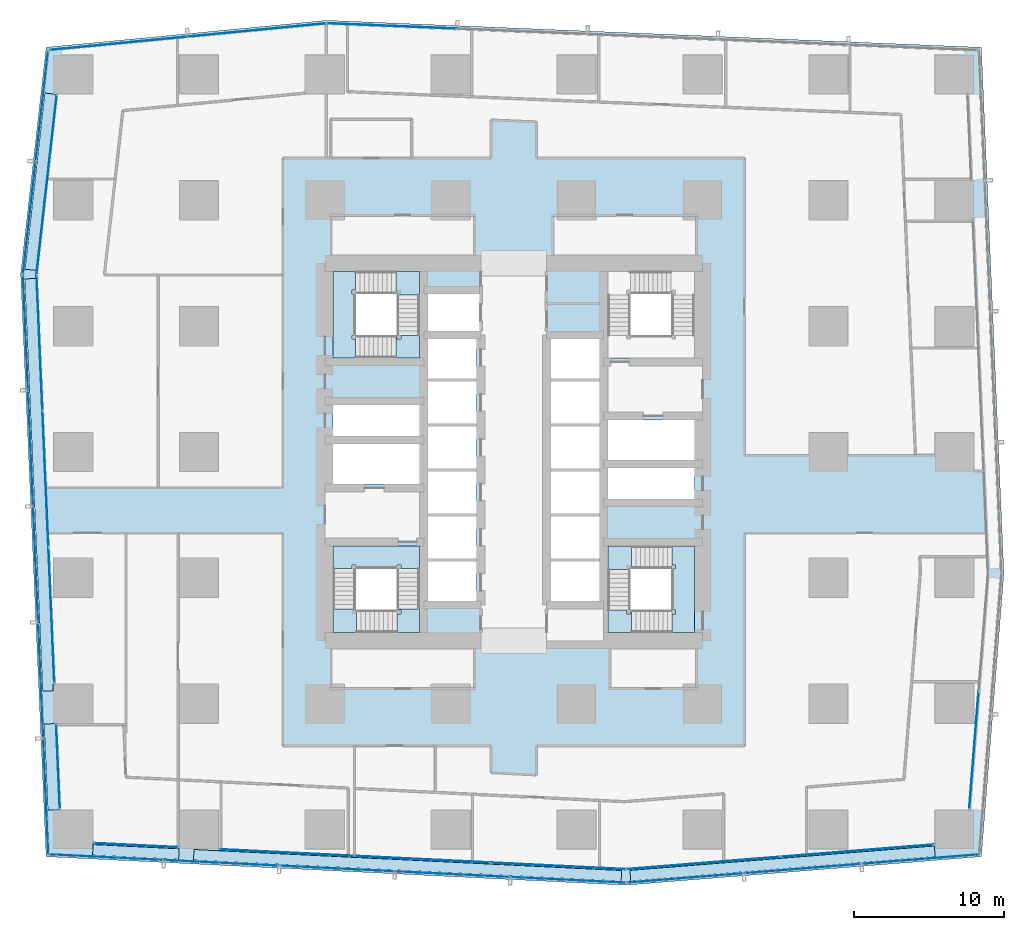
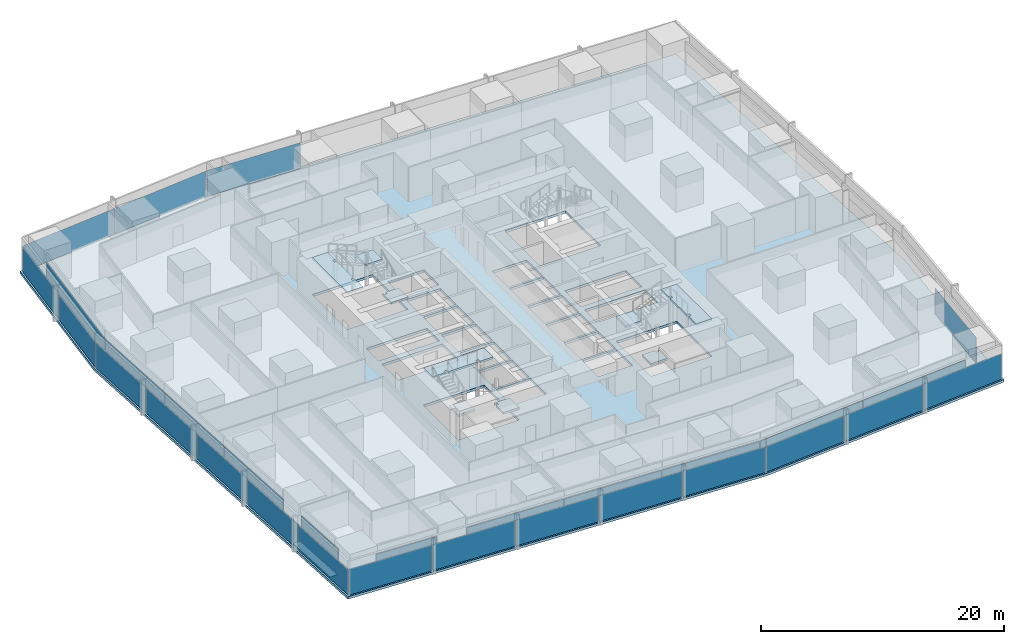
# One storey, part 30 of 46: 36 plates, 10 slabs, 16 elements without a shape of their own.
"""IFC4 building model written with IfcOpenShell, lengths in metres."""

from ifc_helpers import new_model, si_unit, direction, frame, origin, origin_2d, place, context, subcontext, project, spatial, polyline, rectangle, outline, extrude, material, layer, layer_set, type_object, element, aggregate, save


model = new_model("IFC4")

# Units and contexts
model_context = context("Model", 3, precision=1e-05, world=origin(), true_north=direction((0.0, 1.0)))
body_context = subcontext(model_context, "Body", "Model", "MODEL_VIEW")
ifc_project = project(units=[si_unit("LENGTHUNIT", "METRE"), si_unit("AREAUNIT", "SQUARE_METRE"), si_unit("VOLUMEUNIT", "CUBIC_METRE"), si_unit("PLANEANGLEUNIT", "RADIAN"), si_unit("MASSUNIT", "GRAM", prefix="KILO")], contexts=[model_context])

# Site, building, storey
site_placement = place(None, origin())
site = spatial("IfcSite", under=ifc_project, at=site_placement, CompositionType="ELEMENT")
building_placement = place(site_placement, origin())
building = spatial("IfcBuilding", under=site, at=building_placement, Name="Rekha Terrace Tower", CompositionType="ELEMENT")
storey_placement = place(building_placement, frame((0.0, 0.0, 29.14990234375)))
storey = spatial("IfcBuildingStorey", under=building, at=storey_placement, Name="L06", CompositionType="ELEMENT", Elevation=29.14990234375)

# Curtain wall, plate
ifc_material_1 = material(Name="Aluminium framing", Category="aluminium")
curtain_wall_type_1 = type_object("IfcCurtainWallType", Name="CW1 double skin inner glazing", PredefinedType="USERDEFINED", material=ifc_material_1)
curtain_wall_1_placement = place(storey_placement, origin())
curtain_wall_1 = element("IfcCurtainWall", 1, at=curtain_wall_1_placement, inside=storey, type_object=curtain_wall_type_1, Name="CW1 double skin inner glazing", ObjectType="DOUBLE SKIN INNER GLAZING", PredefinedType="USERDEFINED")
ifc_material_2 = material(Name="Double-glazed low-e unit 32", Category="glass")
ifc_layer_1 = layer(ifc_material_2, 0.031982421875)
ifc_layer_set_1 = layer_set([ifc_layer_1], Name="Double-glazed low-e unit 32")
plate_type_1 = type_object("IfcPlateType", Name="CW1 jumbo vision panel, double-glazed low-e unit 32", PredefinedType="CURTAIN_PANEL", material=ifc_layer_set_1)
plate_1_placement = place(storey_placement, frame((12.60009765625, 7.36669921875, 0.0), z_axis=(0.0, 0.0, 1.0), x_axis=(0.998796239976, -0.049051717711, 0.0)))
plate_1 = element("IfcPlate", 2, at=plate_1_placement, type_object=plate_type_1, Name="CW1 panel 1.1", PredefinedType="CURTAIN_PANEL", context=body_context, shape_type="SweptSolid", body=[
    extrude(rectangle(XDim=5.627685546875, YDim=0.031982421875, at=origin_2d()), origin(), (0.0, 0.0, 1.0), 2.60009765625),
])
aggregate(curtain_wall_1, [plate_1])

# Curtain wall, plates
curtain_wall_2_placement = place(storey_placement, origin())
curtain_wall_2 = element("IfcCurtainWall", 3, at=curtain_wall_2_placement, inside=storey, type_object=curtain_wall_type_1, Name="CW1 double skin inner glazing", ObjectType="DOUBLE SKIN INNER GLAZING", PredefinedType="USERDEFINED")
plate_2_placement = place(storey_placement, frame((22.661376953125, 6.87255859375, 0.0), z_axis=(0.0, 0.0, 1.0), x_axis=(0.998796239974, -0.049051717746, 0.0)))
plate_2 = element("IfcPlate", 4, at=plate_2_placement, type_object=plate_type_1, Name="CW1 panel 1.1", PredefinedType="CURTAIN_PANEL", context=body_context, shape_type="SweptSolid", body=[
    extrude(rectangle(XDim=8.964111328125, YDim=0.031982421875, at=origin_2d()), origin(), (0.0, 0.0, 1.0), 2.60009765625),
])
plate_3_placement = place(storey_placement, frame((31.69580078125, 6.4287109375, 0.0), z_axis=(0.0, 0.0, 1.0), x_axis=(0.998796239974, -0.049051717746, 0.0)))
plate_3 = element("IfcPlate", 5, at=plate_3_placement, type_object=plate_type_1, Name="CW1 panel 2.1", PredefinedType="CURTAIN_PANEL", context=body_context, shape_type="SweptSolid", body=[
    extrude(rectangle(XDim=8.99658203125, YDim=0.031982421875, at=origin_2d()), origin(), (0.0, 0.0, 1.0), 2.60009765625),
])
plate_4_placement = place(storey_placement, frame((40.762451171875, 5.983642578125, 0.0), z_axis=(0.0, 0.0, 1.0), x_axis=(0.998796239974, -0.049051717746, 0.0)))
plate_4 = element("IfcPlate", 6, at=plate_4_placement, type_object=plate_type_1, Name="CW1 panel 3.1", PredefinedType="CURTAIN_PANEL", context=body_context, shape_type="SweptSolid", body=[
    extrude(rectangle(XDim=9.029052734375, YDim=0.031982421875, at=origin_2d()), origin(), (0.0, 0.0, 1.0), 2.60009765625),
])
aggregate(curtain_wall_2, [plate_2, plate_3, plate_4])

curtain_wall_3_placement = place(storey_placement, origin())
curtain_wall_3 = element("IfcCurtainWall", 7, at=curtain_wall_3_placement, inside=storey, type_object=curtain_wall_type_1, Name="CW1 double skin inner glazing", ObjectType="DOUBLE SKIN INNER GLAZING", PredefinedType="USERDEFINED")
plate_5_placement = place(storey_placement, frame((50.43798828125, 6.176025390625, 0.0), z_axis=(0.0, 0.0, 1.0), x_axis=(0.996805111821, 0.079872204468, 0.0)))
plate_5 = element("IfcPlate", 8, at=plate_5_placement, type_object=plate_type_1, Name="CW1 panel 1.1", PredefinedType="CURTAIN_PANEL", context=body_context, shape_type="SweptSolid", body=[
    extrude(rectangle(XDim=10.23583984375, YDim=0.031982421875, at=origin_2d()), origin(), (0.0, 0.0, 1.0), 2.60009765625),
])
plate_6_placement = place(storey_placement, frame((60.7060546875, 6.998779296875, 0.0), z_axis=(0.0, 0.0, 1.0), x_axis=(0.996805111821, 0.079872204468, 0.0)))
plate_6 = element("IfcPlate", 9, at=plate_6_placement, type_object=plate_type_1, Name="CW1 panel 2.1", PredefinedType="CURTAIN_PANEL", context=body_context, shape_type="SweptSolid", body=[
    extrude(rectangle(XDim=10.23583984375, YDim=0.031982421875, at=origin_2d()), origin(), (0.0, 0.0, 1.0), 2.60009765625),
])
aggregate(curtain_wall_3, [plate_5, plate_6])

# Curtain wall, plate
curtain_wall_4_placement = place(storey_placement, origin())
curtain_wall_4 = element("IfcCurtainWall", 10, at=curtain_wall_4_placement, inside=storey, type_object=curtain_wall_type_1, Name="CW1 double skin inner glazing", ObjectType="DOUBLE SKIN INNER GLAZING", PredefinedType="USERDEFINED")
plate_7_placement = place(storey_placement, frame((68.49951171875, 13.691650390625, 0.0), z_axis=(0.0, 0.0, 1.0), x_axis=(0.079116300982, 0.996865392578, 0.0)))
plate_7 = element("IfcPlate", 11, at=plate_7_placement, type_object=plate_type_1, Name="CW1 panel 1.1", PredefinedType="CURTAIN_PANEL", context=body_context, shape_type="SweptSolid", body=[
    extrude(rectangle(XDim=7.8232421875, YDim=0.031982421875, at=origin_2d()), origin(), (0.0, 0.0, 1.0), 2.60009765625),
])
aggregate(curtain_wall_4, [plate_7])

curtain_wall_5_placement = place(storey_placement, origin())
curtain_wall_5 = element("IfcCurtainWall", 12, at=curtain_wall_5_placement, inside=storey, type_object=curtain_wall_type_1, Name="CW1 double skin inner glazing", ObjectType="DOUBLE SKIN INNER GLAZING", PredefinedType="USERDEFINED")
plate_8_placement = place(storey_placement, frame((6.635009765625, 51.42431640625, 0.0), z_axis=(0.0, 0.0, 1.0), x_axis=(-0.111729870782, -0.99373861552, 0.0)))
plate_8 = element("IfcPlate", 13, at=plate_8_placement, type_object=plate_type_1, Name="CW1 panel 1.1", PredefinedType="CURTAIN_PANEL", context=body_context, shape_type="SweptSolid", body=[
    extrude(rectangle(XDim=12.03662109375, YDim=0.031982421875, at=origin_2d()), origin(), (0.0, 0.0, 1.0), 2.60009765625),
])
aggregate(curtain_wall_5, [plate_8])

# Curtain wall, plates
curtain_wall_6_placement = place(storey_placement, origin())
curtain_wall_6 = element("IfcCurtainWall", 14, at=curtain_wall_6_placement, inside=storey, type_object=curtain_wall_type_1, Name="CW1 double skin inner glazing", ObjectType="DOUBLE SKIN INNER GLAZING", PredefinedType="USERDEFINED")
plate_9_placement = place(storey_placement, frame((6.162353515625, 40.8740234375, 0.0), z_axis=(0.0, 0.0, 1.0), x_axis=(0.043682543337, -0.999045462133, 0.0)))
plate_9 = element("IfcPlate", 15, at=plate_9_placement, type_object=plate_type_1, Name="CW1 panel 1.1", PredefinedType="CURTAIN_PANEL", context=body_context, shape_type="SweptSolid", body=[
    extrude(rectangle(XDim=9.018310546875, YDim=0.031982421875, at=origin_2d()), origin(), (0.0, 0.0, 1.0), 2.60009765625),
])
plate_10_placement = place(storey_placement, frame((6.559814453125, 31.783203125, 0.0), z_axis=(0.0, 0.0, 1.0), x_axis=(0.043682543337, -0.999045462133, 0.0)))
plate_10 = element("IfcPlate", 16, at=plate_10_placement, type_object=plate_type_1, Name="CW1 panel 2.1", PredefinedType="CURTAIN_PANEL", context=body_context, shape_type="SweptSolid", body=[
    extrude(rectangle(XDim=9.05078125, YDim=0.031982421875, at=origin_2d()), origin(), (0.0, 0.0, 1.0), 2.60009765625),
])
plate_11_placement = place(storey_placement, frame((6.957275390625, 22.6923828125, 0.0), z_axis=(0.0, 0.0, 1.0), x_axis=(0.043682543337, -0.999045462133, 0.0)))
plate_11 = element("IfcPlate", 17, at=plate_11_placement, type_object=plate_type_1, Name="CW1 panel 3.1", PredefinedType="CURTAIN_PANEL", context=body_context, shape_type="SweptSolid", body=[
    extrude(rectangle(XDim=9.018310546875, YDim=0.031982421875, at=origin_2d()), origin(), (0.0, 0.0, 1.0), 2.60009765625),
])
aggregate(curtain_wall_6, [plate_9, plate_10, plate_11])

# Curtain wall, plate
curtain_wall_7_placement = place(storey_placement, origin())
curtain_wall_7 = element("IfcCurtainWall", 18, at=curtain_wall_7_placement, inside=storey, type_object=curtain_wall_type_1, Name="CW1 double skin inner glazing", ObjectType="DOUBLE SKIN INNER GLAZING", PredefinedType="USERDEFINED")
plate_12_placement = place(storey_placement, frame((7.398681640625, 12.60009765625, 0.0), z_axis=(0.0, 0.0, 1.0), x_axis=(0.043682543424, -0.999045462129, 0.0)))
plate_12 = element("IfcPlate", 19, at=plate_12_placement, type_object=plate_type_1, Name="CW1 panel 1.1", PredefinedType="CURTAIN_PANEL", context=body_context, shape_type="SweptSolid", body=[
    extrude(rectangle(XDim=5.627197265625, YDim=0.031982421875, at=origin_2d()), origin(), (0.0, 0.0, 1.0), 2.60009765625),
])
aggregate(curtain_wall_7, [plate_12])

# Curtain wall, plates
curtain_wall_type_2 = type_object("IfcCurtainWallType", Name="CW2 double skin outer glazing", PredefinedType="USERDEFINED", material=ifc_material_1)
curtain_wall_8_placement = place(storey_placement, origin())
curtain_wall_8 = element("IfcCurtainWall", 20, at=curtain_wall_8_placement, inside=storey, type_object=curtain_wall_type_2, Name="CW2 double skin outer glazing", ObjectType="DOUBLE SKIN OUTER GLAZING", PredefinedType="USERDEFINED")
ifc_material_3 = material(Name="Toughened single glazing 12", Category="glass")
ifc_layer_2 = layer(ifc_material_3, 0.011962890625)
ifc_layer_set_2 = layer_set([ifc_layer_2], Name="Toughened single glazing 12")
plate_type_2 = type_object("IfcPlateType", Name="CW2 jumbo vision panel, toughened single glazing 12", PredefinedType="CURTAIN_PANEL", material=ifc_layer_set_2)
plate_13_placement = place(storey_placement, frame((10.626708984375, 6.5625, 0.0), z_axis=(0.0, 0.0, 1.0), x_axis=(0.998796239974, -0.049051717746, 0.0)))
plate_13 = element("IfcPlate", 21, at=plate_13_placement, type_object=plate_type_2, Name="CW2 panel 1.1", PredefinedType="CURTAIN_PANEL", context=body_context, shape_type="SweptSolid", body=[
    extrude(rectangle(XDim=7.595703125, YDim=0.011962890625, at=origin_2d()), origin(), (0.0, 0.0, 1.0), 2.60009765625),
])
plate_14_placement = place(storey_placement, frame((18.31298828125, 6.18505859375, 0.0), z_axis=(0.0, 0.0, 1.0), x_axis=(0.998796239974, -0.049051717746, 0.0)))
plate_14 = element("IfcPlate", 22, at=plate_14_placement, type_object=plate_type_2, Name="CW2 panel 2.1", PredefinedType="CURTAIN_PANEL", context=body_context, shape_type="SweptSolid", body=[
    extrude(rectangle(XDim=7.6357421875, YDim=0.011962890625, at=origin_2d()), origin(), (0.0, 0.0, 1.0), 2.60009765625),
])
plate_15_placement = place(storey_placement, frame((26.01953125, 5.806396484375, 0.0), z_axis=(0.0, 0.0, 1.0), x_axis=(0.998796239974, -0.049051717746, 0.0)))
plate_15 = element("IfcPlate", 23, at=plate_15_placement, type_object=plate_type_2, Name="CW2 panel 3.1", PredefinedType="CURTAIN_PANEL", context=body_context, shape_type="SweptSolid", body=[
    extrude(rectangle(XDim=7.6357421875, YDim=0.011962890625, at=origin_2d()), origin(), (0.0, 0.0, 1.0), 2.60009765625),
])
plate_16_placement = place(storey_placement, frame((33.725830078125, 5.427978515625, 0.0), z_axis=(0.0, 0.0, 1.0), x_axis=(0.998796239974, -0.049051717746, 0.0)))
plate_16 = element("IfcPlate", 24, at=plate_16_placement, type_object=plate_type_2, Name="CW2 panel 4.1", PredefinedType="CURTAIN_PANEL", context=body_context, shape_type="SweptSolid", body=[
    extrude(rectangle(XDim=7.6357421875, YDim=0.011962890625, at=origin_2d()), origin(), (0.0, 0.0, 1.0), 2.60009765625),
])
plate_17_placement = place(storey_placement, frame((41.452392578125, 5.048583984375, 0.0), z_axis=(0.0, 0.0, 1.0), x_axis=(0.998796239974, -0.049051717746, 0.0)))
plate_17 = element("IfcPlate", 25, at=plate_17_placement, type_object=plate_type_2, Name="CW2 panel 5.1", PredefinedType="CURTAIN_PANEL", context=body_context, shape_type="SweptSolid", body=[
    extrude(rectangle(XDim=7.67578125, YDim=0.011962890625, at=origin_2d()), origin(), (0.0, 0.0, 1.0), 2.60009765625),
])
aggregate(curtain_wall_8, [plate_13, plate_14, plate_15, plate_16, plate_17])

curtain_wall_9_placement = place(storey_placement, origin())
curtain_wall_9 = element("IfcCurtainWall", 26, at=curtain_wall_9_placement, inside=storey, type_object=curtain_wall_type_2, Name="CW2 double skin outer glazing", ObjectType="DOUBLE SKIN OUTER GLAZING", PredefinedType="USERDEFINED")
plate_18_placement = place(storey_placement, frame((49.233154296875, 5.176513671875, 0.0), z_axis=(0.0, 0.0, 1.0), x_axis=(0.996805111821, 0.079872204468, 0.0)))
plate_18 = element("IfcPlate", 27, at=plate_18_placement, type_object=plate_type_2, Name="CW2 panel 1.1", PredefinedType="CURTAIN_PANEL", context=body_context, shape_type="SweptSolid", body=[
    extrude(rectangle(XDim=7.760498046875, YDim=0.011962890625, at=origin_2d()), origin(), (0.0, 0.0, 1.0), 2.60009765625),
])
plate_19_placement = place(storey_placement, frame((57.068359375, 5.804443359375, 0.0), z_axis=(0.0, 0.0, 1.0), x_axis=(0.996805111821, 0.079872204468, 0.0)))
plate_19 = element("IfcPlate", 28, at=plate_19_placement, type_object=plate_type_2, Name="CW2 panel 2.1", PredefinedType="CURTAIN_PANEL", context=body_context, shape_type="SweptSolid", body=[
    extrude(rectangle(XDim=7.800537109375, YDim=0.011962890625, at=origin_2d()), origin(), (0.0, 0.0, 1.0), 2.60009765625),
])
plate_20_placement = place(storey_placement, frame((64.943603515625, 6.435546875, 0.0), z_axis=(0.0, 0.0, 1.0), x_axis=(0.996805111821, 0.079872204468, 0.0)))
plate_20 = element("IfcPlate", 29, at=plate_20_placement, type_object=plate_type_2, Name="CW2 panel 3.1", PredefinedType="CURTAIN_PANEL", context=body_context, shape_type="SweptSolid", body=[
    extrude(rectangle(XDim=7.84033203125, YDim=0.011962890625, at=origin_2d()), origin(), (0.0, 0.0, 1.0), 2.60009765625),
])
aggregate(curtain_wall_9, [plate_18, plate_19, plate_20])

curtain_wall_10_placement = place(storey_placement, origin())
curtain_wall_10 = element("IfcCurtainWall", 30, at=curtain_wall_10_placement, inside=storey, type_object=curtain_wall_type_2, Name="CW2 double skin outer glazing", ObjectType="DOUBLE SKIN OUTER GLAZING", PredefinedType="USERDEFINED")
plate_21_placement = place(storey_placement, frame((6.3212890625, 56.688720703125, 0.0), z_axis=(0.0, 0.0, 1.0), x_axis=(-0.111729870782, -0.99373861552, 0.0)))
plate_21 = element("IfcPlate", 31, at=plate_21_placement, type_object=plate_type_2, Name="CW2 panel 1.1", PredefinedType="CURTAIN_PANEL", context=body_context, shape_type="SweptSolid", body=[
    extrude(rectangle(XDim=7.41650390625, YDim=0.011962890625, at=origin_2d()), origin(), (0.0, 0.0, 1.0), 2.60009765625),
])
plate_22_placement = place(storey_placement, frame((5.479248046875, 49.19921875, 0.0), z_axis=(0.0, 0.0, 1.0), x_axis=(-0.111729870782, -0.99373861552, 0.0)))
plate_22 = element("IfcPlate", 32, at=plate_22_placement, type_object=plate_type_2, Name="CW2 panel 2.1", PredefinedType="CURTAIN_PANEL", context=body_context, shape_type="SweptSolid", body=[
    extrude(rectangle(XDim=7.49658203125, YDim=0.011962890625, at=origin_2d()), origin(), (0.0, 0.0, 1.0), 2.60009765625),
])
aggregate(curtain_wall_10, [plate_21, plate_22])

curtain_wall_11_placement = place(storey_placement, origin())
curtain_wall_11 = element("IfcCurtainWall", 33, at=curtain_wall_11_placement, inside=storey, type_object=curtain_wall_type_2, Name="CW2 double skin outer glazing", ObjectType="DOUBLE SKIN OUTER GLAZING", PredefinedType="USERDEFINED")
plate_23_placement = place(storey_placement, frame((5.23046875, 41.582275390625, 0.0), z_axis=(0.0, 0.0, 1.0), x_axis=(0.043682543372, -0.999045462131, 0.0)))
plate_23 = element("IfcPlate", 34, at=plate_23_placement, type_object=plate_type_2, Name="CW2 panel 1.1", PredefinedType="CURTAIN_PANEL", context=body_context, shape_type="SweptSolid", body=[
    extrude(rectangle(XDim=7.6318359375, YDim=0.011962890625, at=origin_2d()), origin(), (0.0, 0.0, 1.0), 2.60009765625),
])
plate_24_placement = place(storey_placement, frame((5.568359375, 33.85791015625, 0.0), z_axis=(0.0, 0.0, 1.0), x_axis=(0.043682543372, -0.999045462131, 0.0)))
plate_24 = element("IfcPlate", 35, at=plate_24_placement, type_object=plate_type_2, Name="CW2 panel 2.1", PredefinedType="CURTAIN_PANEL", context=body_context, shape_type="SweptSolid", body=[
    extrude(rectangle(XDim=7.671875, YDim=0.011962890625, at=origin_2d()), origin(), (0.0, 0.0, 1.0), 2.60009765625),
])
plate_25_placement = place(storey_placement, frame((5.906982421875, 26.113525390625, 0.0), z_axis=(0.0, 0.0, 1.0), x_axis=(0.043682543372, -0.999045462131, 0.0)))
plate_25 = element("IfcPlate", 36, at=plate_25_placement, type_object=plate_type_2, Name="CW2 panel 3.1", PredefinedType="CURTAIN_PANEL", context=body_context, shape_type="SweptSolid", body=[
    extrude(rectangle(XDim=7.671875, YDim=0.011962890625, at=origin_2d()), origin(), (0.0, 0.0, 1.0), 2.60009765625),
])
plate_26_placement = place(storey_placement, frame((6.24560546875, 18.369140625, 0.0), z_axis=(0.0, 0.0, 1.0), x_axis=(0.043682543372, -0.999045462131, 0.0)))
plate_26 = element("IfcPlate", 37, at=plate_26_placement, type_object=plate_type_2, Name="CW2 panel 4.1", PredefinedType="CURTAIN_PANEL", context=body_context, shape_type="SweptSolid", body=[
    extrude(rectangle(XDim=7.671875, YDim=0.011962890625, at=origin_2d()), origin(), (0.0, 0.0, 1.0), 2.60009765625),
])
plate_27_placement = place(storey_placement, frame((6.5849609375, 10.60498046875, 0.0), z_axis=(0.0, 0.0, 1.0), x_axis=(0.043682543372, -0.999045462131, 0.0)))
plate_27 = element("IfcPlate", 38, at=plate_27_placement, type_object=plate_type_2, Name="CW2 panel 5.1", PredefinedType="CURTAIN_PANEL", context=body_context, shape_type="SweptSolid", body=[
    extrude(rectangle(XDim=7.711669921875, YDim=0.011962890625, at=origin_2d()), origin(), (0.0, 0.0, 1.0), 2.60009765625),
])
aggregate(curtain_wall_11, [plate_23, plate_24, plate_25, plate_26, plate_27])

# Curtain wall, plate
curtain_wall_type_3 = type_object("IfcCurtainWallType", Name="CW3 north unitised glazing", PredefinedType="USERDEFINED", material=ifc_material_1)
curtain_wall_12_placement = place(storey_placement, origin())
curtain_wall_12 = element("IfcCurtainWall", 39, at=curtain_wall_12_placement, inside=storey, type_object=curtain_wall_type_3, Name="CW3 unitised curtain wall", ObjectType="UNITISED CURTAIN WALL", PredefinedType="USERDEFINED")
ifc_material_4 = material(Name="Double-glazed unit 28", Category="glass")
ifc_layer_3 = layer(ifc_material_4, 0.028076171875)
ifc_layer_set_3 = layer_set([ifc_layer_3], Name="Double-glazed unit 28")
plate_type_3 = type_object("IfcPlateType", Name="CW3 jumbo vision panel, double-glazed unit 28", PredefinedType="CURTAIN_PANEL", material=ifc_layer_set_3)
plate_28_placement = place(storey_placement, frame((29.65625, 62.021240234375, 0.0), z_axis=(0.0, 0.0, 1.0), x_axis=(-0.999151997647, 0.041173846041, 0.0)))
plate_28 = element("IfcPlate", 40, at=plate_28_placement, type_object=plate_type_3, Name="CW3 panel 5.1", PredefinedType="CURTAIN_PANEL", context=body_context, shape_type="SweptSolid", body=[
    extrude(rectangle(XDim=8.6689453125, YDim=0.028076171875, at=origin_2d()), origin(), (0.0, 0.0, 1.0), 2.60009765625),
])
aggregate(curtain_wall_12, [plate_28])

# Curtain wall, plates
curtain_wall_13_placement = place(storey_placement, origin())
curtain_wall_13 = element("IfcCurtainWall", 41, at=curtain_wall_13_placement, inside=storey, type_object=curtain_wall_type_3, Name="CW3 unitised curtain wall", ObjectType="UNITISED CURTAIN WALL", PredefinedType="USERDEFINED")
plate_29_placement = place(storey_placement, frame((20.671875, 61.752197265625, 0.0), z_axis=(0.0, 0.0, 1.0), x_axis=(-0.995409029102, -0.095712406625, 0.0)))
plate_29 = element("IfcPlate", 42, at=plate_29_placement, type_object=plate_type_3, Name="CW3 panel 1.1", PredefinedType="CURTAIN_PANEL", context=body_context, shape_type="SweptSolid", body=[
    extrude(rectangle(XDim=9.210205078125, YDim=0.028076171875, at=origin_2d()), origin(), (0.0, 0.0, 1.0), 2.60009765625),
])
plate_30_placement = place(storey_placement, frame((11.434326171875, 60.864013671875, 0.0), z_axis=(0.0, 0.0, 1.0), x_axis=(-0.995409029102, -0.095712406625, 0.0)))
plate_30 = element("IfcPlate", 43, at=plate_30_placement, type_object=plate_type_3, Name="CW3 panel 2.1", PredefinedType="CURTAIN_PANEL", context=body_context, shape_type="SweptSolid", body=[
    extrude(rectangle(XDim=9.210205078125, YDim=0.028076171875, at=origin_2d()), origin(), (0.0, 0.0, 1.0), 2.60009765625),
])
aggregate(curtain_wall_13, [plate_29, plate_30])

# Plates
ifc_material_5 = material(Name="Galvanised steel open grating", Category="steel")
ifc_layer_4 = layer(ifc_material_5, 0.050048828125)
ifc_layer_set_4 = layer_set([ifc_layer_4], Name="Galvanised steel open grating")
plate_type_4 = type_object("IfcPlateType", Name="GT1 cavity walkway grating 50", PredefinedType="USERDEFINED", material=ifc_layer_set_4)
plate_31_placement = place(storey_placement, frame((12.58984375, 6.91650390625, 0.0), z_axis=(0.0, 0.0, 1.0), x_axis=(0.998796239974, -0.049051717746, 0.0)))
element("IfcPlate", 44, at=plate_31_placement, inside=storey, type_object=plate_type_4, Name="Cavity walkway grating", ObjectType="CAVITY WALKWAY GRATING", PredefinedType="USERDEFINED", context=body_context, shape_type="SweptSolid", body=[
    extrude(rectangle(XDim=5.750732421875, YDim=0.705078125, at=origin_2d()), origin(), (0.0, 0.0, 1.0), 0.050048828125),
])
plate_32_placement = place(storey_placement, frame((30.71484375, 6.0263671875, 0.0), z_axis=(0.0, 0.0, 1.0), x_axis=(0.998796239974, -0.049051717746, 0.0)))
element("IfcPlate", 45, at=plate_32_placement, inside=storey, type_object=plate_type_4, Name="Cavity walkway grating", ObjectType="CAVITY WALKWAY GRATING", PredefinedType="USERDEFINED", context=body_context, shape_type="SweptSolid", body=[
    extrude(rectangle(XDim=28.562744140625, YDim=0.705078125, at=origin_2d()), origin(), (0.0, 0.0, 1.0), 0.050048828125),
])
plate_33_placement = place(storey_placement, frame((55.734375, 6.14892578125, 0.0), z_axis=(0.0, 0.0, 1.0), x_axis=(0.996805111821, 0.079872204468, 0.0)))
element("IfcPlate", 46, at=plate_33_placement, inside=storey, type_object=plate_type_4, Name="Cavity walkway grating", ObjectType="CAVITY WALKWAY GRATING", PredefinedType="USERDEFINED", context=body_context, shape_type="SweptSolid", body=[
    extrude(rectangle(XDim=20.37841796875, YDim=0.705078125, at=origin_2d()), origin(), (0.0, 0.0, 1.0), 0.050048828125),
])
plate_34_placement = place(storey_placement, frame((6.20556640625, 51.631591796875, 0.0), z_axis=(0.0, 0.0, 1.0), x_axis=(-0.1117298708, -0.993738615518, 0.0)))
element("IfcPlate", 47, at=plate_34_placement, inside=storey, type_object=plate_type_4, Name="Cavity walkway grating", ObjectType="CAVITY WALKWAY GRATING", PredefinedType="USERDEFINED", context=body_context, shape_type="SweptSolid", body=[
    extrude(rectangle(XDim=11.822998046875, YDim=0.705078125, at=origin_2d()), origin(), (0.0, 0.0, 1.0), 0.050048828125),
])
plate_35_placement = place(storey_placement, frame((6.125732421875, 31.409912109375, 0.0), z_axis=(0.0, 0.0, 1.0), x_axis=(0.043682543355, -0.999045462132, 0.0)))
element("IfcPlate", 48, at=plate_35_placement, inside=storey, type_object=plate_type_4, Name="Cavity walkway grating", ObjectType="CAVITY WALKWAY GRATING", PredefinedType="USERDEFINED", context=body_context, shape_type="SweptSolid", body=[
    extrude(rectangle(XDim=27.525390625, YDim=0.705078125, at=origin_2d()), origin(), (0.0, 0.0, 1.0), 0.050048828125),
])
plate_36_placement = place(storey_placement, frame((6.94873046875, 12.59130859375, 0.0), z_axis=(0.0, 0.0, 1.0), x_axis=(0.043682543355, -0.999045462132, 0.0)))
element("IfcPlate", 49, at=plate_36_placement, inside=storey, type_object=plate_type_4, Name="Cavity walkway grating", ObjectType="CAVITY WALKWAY GRATING", PredefinedType="USERDEFINED", context=body_context, shape_type="SweptSolid", body=[
    extrude(rectangle(XDim=5.750244140625, YDim=0.705078125, at=origin_2d()), origin(), (0.0, 0.0, 1.0), 0.050048828125),
])

# Stair, slabs
ifc_material_6 = material(Name="Concrete M40", Category="concrete")
stair_type = type_object("IfcStairType", Name="ST30 stair, 30 risers of 125, going 300, 1500 wide flights, 3 flights", PredefinedType="HALF_TURN_STAIR", material=ifc_material_6)
stair_1_placement = place(storey_placement, origin())
stair_1 = element("IfcStair", 50, at=stair_1_placement, inside=storey, type_object=stair_type, Name="Stair ST1 L06 to L07", PredefinedType="HALF_TURN_STAIR")
ifc_layer_5 = layer(ifc_material_6, 0.199951171875)
ifc_layer_set_5 = layer_set([ifc_layer_5], Name="Concrete M40")
slab_type_1 = type_object("IfcSlabType", Name="LD1 200 concrete stair landing", PredefinedType="LANDING", material=ifc_layer_set_5)
slab_1_placement = place(storey_placement, frame((0.0, 0.0, 1.050048828125)))
slab_1 = element("IfcSlab", 51, at=slab_1_placement, type_object=slab_type_1, Name="ST1 landing 1", PredefinedType="LANDING", context=body_context, shape_type="SweptSolid", body=[
    extrude(outline(polyline([(30.02490234375, 21.550048828125), (31.52490234375, 21.550048828125), (31.52490234375, 23.125), (30.02490234375, 23.125), (30.02490234375, 23.050048828125), (30.27490234375, 23.050048828125), (30.27490234375, 22.800048828125), (30.02490234375, 22.800048828125), (30.02490234375, 21.550048828125)])), origin(), (0.0, 0.0, 1.0), 0.199951171875),
])
slab_2_placement = place(storey_placement, frame((0.0, 0.0, 2.300048828125)))
slab_2 = element("IfcSlab", 52, at=slab_2_placement, type_object=slab_type_1, Name="ST1 landing 2", PredefinedType="LANDING", context=body_context, shape_type="SweptSolid", body=[
    extrude(outline(polyline([(27.25, 23.125), (25.75, 23.125), (25.75, 21.550048828125), (27.324951171875, 21.550048828125), (27.324951171875, 23.050048828125), (27.25, 23.050048828125), (27.25, 23.125)])), origin(), (0.0, 0.0, 1.0), 0.199951171875),
])
slab_3_placement = place(storey_placement, frame((0.0, 0.0, 3.550048828125)))
slab_3 = element("IfcSlab", 53, at=slab_3_placement, type_object=slab_type_1, Name="ST1 landing 3", PredefinedType="LANDING", context=body_context, shape_type="SweptSolid", body=[
    extrude(outline(polyline([(31.52490234375, 25.824951171875), (31.52490234375, 27.324951171875), (25.75, 27.324951171875), (25.75, 25.824951171875), (27.0, 25.824951171875), (27.0, 26.074951171875), (27.25, 26.074951171875), (27.25, 25.824951171875), (30.02490234375, 25.824951171875), (30.02490234375, 26.074951171875), (30.27490234375, 26.074951171875), (30.27490234375, 25.824951171875), (31.52490234375, 25.824951171875)])), origin(), (0.0, 0.0, 1.0), 0.199951171875),
])
aggregate(stair_1, [slab_1, slab_2, slab_3])

stair_2_placement = place(storey_placement, origin())
stair_2 = element("IfcStair", 54, at=stair_2_placement, inside=storey, type_object=stair_type, Name="Stair ST3 L06 to L07", PredefinedType="HALF_TURN_STAIR")
slab_4_placement = place(storey_placement, frame((0.0, 0.0, 1.050048828125)))
slab_4 = element("IfcSlab", 55, at=slab_4_placement, type_object=slab_type_1, Name="ST3 landing 1", PredefinedType="LANDING", context=body_context, shape_type="SweptSolid", body=[
    extrude(outline(polyline([(44.074951171875, 23.050048828125), (44.074951171875, 21.550048828125), (45.64990234375, 21.550048828125), (45.64990234375, 23.050048828125), (45.574951171875, 23.050048828125), (45.574951171875, 22.800048828125), (45.324951171875, 22.800048828125), (45.324951171875, 23.050048828125), (44.074951171875, 23.050048828125)])), origin(), (0.0, 0.0, 1.0), 0.199951171875),
])
slab_5_placement = place(storey_placement, frame((0.0, 0.0, 2.300048828125)))
slab_5 = element("IfcSlab", 56, at=slab_5_placement, type_object=slab_type_1, Name="ST3 landing 2", PredefinedType="LANDING", context=body_context, shape_type="SweptSolid", body=[
    extrude(outline(polyline([(45.64990234375, 25.824951171875), (45.64990234375, 27.324951171875), (44.074951171875, 27.324951171875), (44.074951171875, 25.75), (45.574951171875, 25.75), (45.574951171875, 25.824951171875), (45.64990234375, 25.824951171875)])), origin(), (0.0, 0.0, 1.0), 0.199951171875),
])
slab_6_placement = place(storey_placement, frame((0.0, 0.0, 3.550048828125)))
slab_6 = element("IfcSlab", 57, at=slab_6_placement, type_object=slab_type_1, Name="ST3 landing 3", PredefinedType="LANDING", context=body_context, shape_type="SweptSolid", body=[
    extrude(outline(polyline([(48.35009765625, 21.550048828125), (49.85009765625, 21.550048828125), (49.85009765625, 27.324951171875), (48.35009765625, 27.324951171875), (48.35009765625, 26.074951171875), (48.60009765625, 26.074951171875), (48.60009765625, 25.824951171875), (48.35009765625, 25.824951171875), (48.35009765625, 23.050048828125), (48.60009765625, 23.050048828125), (48.60009765625, 22.800048828125), (48.35009765625, 22.800048828125), (48.35009765625, 21.550048828125)])), origin(), (0.0, 0.0, 1.0), 0.199951171875),
])
aggregate(stair_2, [slab_4, slab_5, slab_6])

stair_3_placement = place(storey_placement, origin())
stair_3 = element("IfcStair", 58, at=stair_3_placement, inside=storey, type_object=stair_type, Name="Stair ST4 L06 to L07", PredefinedType="HALF_TURN_STAIR")
slab_7_placement = place(storey_placement, frame((0.0, 0.0, 1.050048828125)))
slab_7 = element("IfcSlab", 59, at=slab_7_placement, type_object=slab_type_1, Name="ST4 landing 1", PredefinedType="LANDING", context=body_context, shape_type="SweptSolid", body=[
    extrude(outline(polyline([(31.52490234375, 41.375), (31.52490234375, 39.875), (29.949951171875, 39.875), (29.949951171875, 41.375), (30.02490234375, 41.375), (30.02490234375, 41.125), (30.27490234375, 41.125), (30.27490234375, 41.375), (31.52490234375, 41.375)])), origin(), (0.0, 0.0, 1.0), 0.199951171875),
])
slab_8_placement = place(storey_placement, frame((0.0, 0.0, 2.300048828125)))
slab_8 = element("IfcSlab", 60, at=slab_8_placement, type_object=slab_type_1, Name="ST4 landing 2", PredefinedType="LANDING", context=body_context, shape_type="SweptSolid", body=[
    extrude(outline(polyline([(29.949951171875, 44.14990234375), (29.949951171875, 45.64990234375), (31.52490234375, 45.64990234375), (31.52490234375, 44.074951171875), (30.02490234375, 44.074951171875), (30.02490234375, 44.14990234375), (29.949951171875, 44.14990234375)])), origin(), (0.0, 0.0, 1.0), 0.199951171875),
])
slab_9_placement = place(storey_placement, frame((0.0, 0.0, 3.550048828125)))
slab_9 = element("IfcSlab", 61, at=slab_9_placement, type_object=slab_type_1, Name="ST4 landing 3", PredefinedType="LANDING", context=body_context, shape_type="SweptSolid", body=[
    extrude(outline(polyline([(27.25, 39.875), (25.75, 39.875), (25.75, 45.64990234375), (27.25, 45.64990234375), (27.25, 44.39990234375), (27.0, 44.39990234375), (27.0, 44.14990234375), (27.25, 44.14990234375), (27.25, 41.375), (27.0, 41.375), (27.0, 41.125), (27.25, 41.125), (27.25, 39.875)])), origin(), (0.0, 0.0, 1.0), 0.199951171875),
])
aggregate(stair_3, [slab_7, slab_8, slab_9])

# Slab
ifc_material_7 = material(Name="Concrete M50", Category="concrete")
ifc_layer_6 = layer(ifc_material_7, 0.25)
ifc_layer_set_6 = layer_set([ifc_layer_6], Name="Concrete M50")
slab_type_2 = type_object("IfcSlabType", Name="SL4 250 post-tensioned flat plate", PredefinedType="FLOOR", material=ifc_layer_set_6)
slab_10_placement = place(storey_placement, frame((0.0, 0.0, -0.25)))
element("IfcSlab", 62, at=slab_10_placement, inside=storey, type_object=slab_type_2, Name="Post-tensioned flat plate L06", PredefinedType="FLOOR", context=body_context, shape_type="SweptSolid", body=[
    extrude(outline(polyline([(4.89990234375, 45.47998046875), (6.60009765625, 6.60009765625), (45.2880859375, 4.699951171875), (69.0, 6.60009765625), (70.5, 25.5), (69.0, 60.60009765625), (25.320068359375, 62.39990234375), (6.60009765625, 60.60009765625), (4.89990234375, 45.47998046875)]), holes=[polyline([(31.52490234375, 27.324951171875), (31.52490234375, 21.550048828125), (25.75, 21.550048828125), (25.75, 27.324951171875), (31.52490234375, 27.324951171875)]), polyline([(35.324951171875, 26.300048828125), (35.324951171875, 23.675048828125), (32.074951171875, 23.675048828125), (32.074951171875, 26.300048828125), (35.324951171875, 26.300048828125)]), polyline([(35.324951171875, 29.300048828125), (35.324951171875, 26.5), (32.074951171875, 26.5), (32.074951171875, 29.300048828125), (35.324951171875, 29.300048828125)]), polyline([(35.324951171875, 29.5), (32.074951171875, 29.5), (32.074951171875, 32.300048828125), (35.324951171875, 32.300048828125), (35.324951171875, 29.5)]), polyline([(31.52490234375, 31.47509765625), (25.75, 31.47509765625), (25.75, 34.125), (31.52490234375, 34.125), (31.52490234375, 31.47509765625)]), polyline([(35.324951171875, 35.300048828125), (35.324951171875, 32.5), (32.074951171875, 32.5), (32.074951171875, 35.300048828125), (35.324951171875, 35.300048828125)]), polyline([(31.52490234375, 36.72509765625), (31.52490234375, 34.675048828125), (25.75, 34.675048828125), (25.75, 36.72509765625), (31.52490234375, 36.72509765625)]), polyline([(35.324951171875, 38.300048828125), (35.324951171875, 35.5), (32.074951171875, 35.5), (32.074951171875, 38.300048828125), (35.324951171875, 38.300048828125)]), polyline([(35.324951171875, 38.5), (32.074951171875, 38.5), (32.074951171875, 41.125), (35.324951171875, 41.125), (35.324951171875, 38.5)]), polyline([(31.52490234375, 39.875), (25.75, 39.875), (25.75, 45.64990234375), (31.52490234375, 45.64990234375), (31.52490234375, 39.875)]), polyline([(35.5, 44.125), (35.5, 41.675048828125), (32.074951171875, 41.675048828125), (32.074951171875, 44.125), (35.5, 44.125)]), polyline([(49.85009765625, 27.324951171875), (49.85009765625, 21.550048828125), (44.074951171875, 21.550048828125), (44.074951171875, 27.324951171875), (49.85009765625, 27.324951171875)]), polyline([(43.52490234375, 26.300048828125), (43.52490234375, 23.675048828125), (40.27490234375, 23.675048828125), (40.27490234375, 26.300048828125), (43.52490234375, 26.300048828125)]), polyline([(43.52490234375, 26.5), (40.27490234375, 26.5), (40.27490234375, 29.300048828125), (43.52490234375, 29.300048828125), (43.52490234375, 26.5)]), polyline([(43.52490234375, 29.5), (40.27490234375, 29.5), (40.27490234375, 32.300048828125), (43.52490234375, 32.300048828125), (43.52490234375, 29.5)]), polyline([(49.85009765625, 32.52490234375), (49.85009765625, 30.47509765625), (44.074951171875, 30.47509765625), (44.074951171875, 32.52490234375), (49.85009765625, 32.52490234375)]), polyline([(43.52490234375, 32.5), (40.27490234375, 32.5), (40.27490234375, 35.300048828125), (43.52490234375, 35.300048828125), (43.52490234375, 32.5)]), polyline([(49.85009765625, 33.074951171875), (44.074951171875, 33.074951171875), (44.074951171875, 35.72509765625), (49.85009765625, 35.72509765625), (49.85009765625, 33.074951171875)]), polyline([(43.52490234375, 38.300048828125), (43.52490234375, 35.5), (40.27490234375, 35.5), (40.27490234375, 38.300048828125), (43.52490234375, 38.300048828125)]), polyline([(43.52490234375, 38.5), (40.27490234375, 38.5), (40.27490234375, 41.125), (43.52490234375, 41.125), (43.52490234375, 38.5)]), polyline([(49.85009765625, 39.875), (44.074951171875, 39.875), (44.074951171875, 45.64990234375), (49.85009765625, 45.64990234375), (49.85009765625, 39.875)])]), origin(), (0.0, 0.0, 1.0), 0.25),
])

save(model, "model.ifc")
